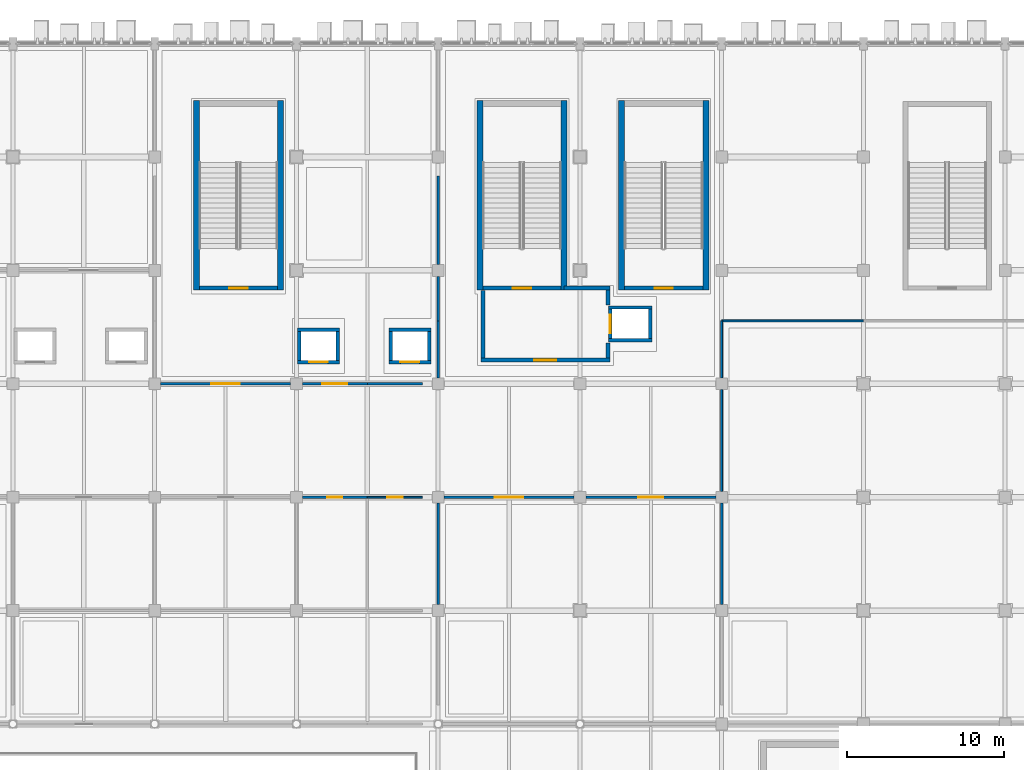
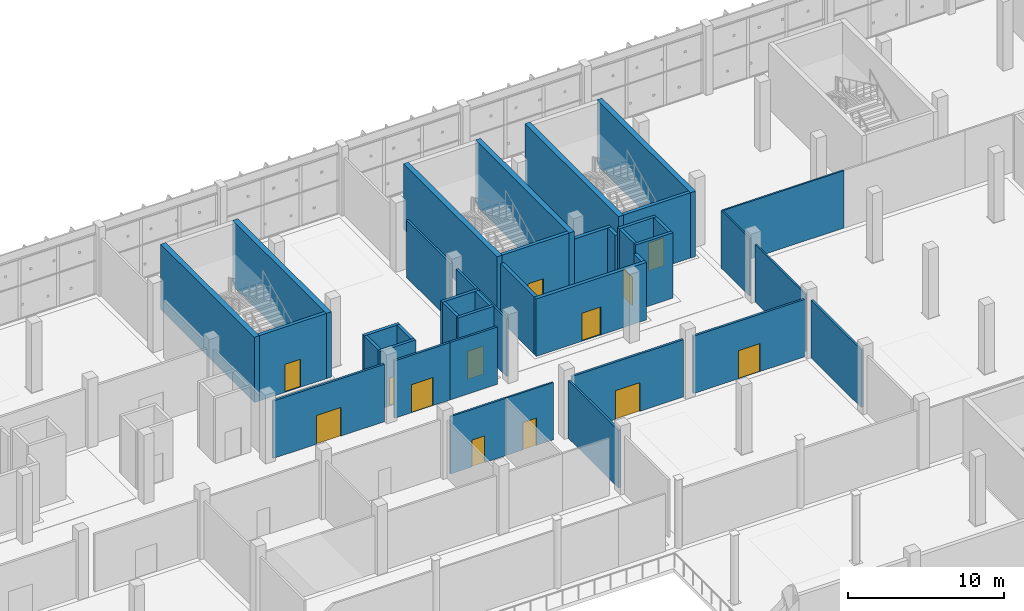
# One storey, part 140 of 189: 41 walls, 13 doors, 13 openings.
"""IFC4 building model written with IfcOpenShell, lengths in metres."""

from ifc_helpers import new_model, si_unit, direction, frame, frame_2d, origin, place, context, subcontext, project, spatial, rectangle, extrude, material, layer, layer_set, type_object, element, fill, save


model = new_model("IFC4")

# Units and contexts
model_context = context("Model", 3, precision=1e-05, world=origin(), true_north=direction((0.0, 1.0)))
body_context = subcontext(model_context, "Body", "Model", "MODEL_VIEW")
ifc_project = project(units=[si_unit("LENGTHUNIT", "METRE"), si_unit("AREAUNIT", "SQUARE_METRE"), si_unit("VOLUMEUNIT", "CUBIC_METRE"), si_unit("PLANEANGLEUNIT", "RADIAN"), si_unit("MASSUNIT", "GRAM", prefix="KILO")], contexts=[model_context])

# Site, building, storey
site_placement = place(None, origin())
site = spatial("IfcSite", under=ifc_project, at=site_placement, CompositionType="ELEMENT")
building_placement = place(site_placement, origin())
building = spatial("IfcBuilding", under=site, at=building_placement, Name="Celestram Park Convention Centre", CompositionType="ELEMENT")
storey_placement = place(building_placement, frame((0.0, 0.0, 5.39990234375)))
storey = spatial("IfcBuildingStorey", under=building, at=storey_placement, Name="L01", CompositionType="ELEMENT", Elevation=5.39990234375)

# Wall, opening, door
ifc_material_1 = material(Name="Concrete Block Masonry C25/30", Category="masonry")
ifc_layer_1 = layer(ifc_material_1, 0.25)
ifc_layer_set_1 = layer_set([ifc_layer_1], Name="Concrete Block Masonry C25/30")
wall_type_1 = type_object("IfcWallType", Name="ARC-WL-COR250", PredefinedType="STANDARD", material=ifc_layer_set_1)
wall_1_placement = place(storey_placement, frame((83.840087890625, 150.074951171875, 0.0), z_axis=(0.0, 0.0, 1.0), x_axis=(1.0, 0.0, 0.0)))
wall_1 = element("IfcWall", 1, at=wall_1_placement, inside=storey, type_object=wall_type_1, Name="Core C2 stair entrance wall", PredefinedType="STANDARD", context=body_context, shape_type="SweptSolid", body=[
    extrude(rectangle(XDim=4.9599609375, YDim=0.25, at=frame_2d((2.47998046875, 0.0))), origin(), (0.0, 0.0, 1.0), 5.1201171875),
])
opening_1_placement = place(wall_1_placement, frame((1.905029296875, 0.0, 0.0)))
opening_1 = element("IfcOpeningElement", 2, at=opening_1_placement, cuts=wall_1, Name="Opening D-ST1", PredefinedType="OPENING", context=body_context, shape_type="SweptSolid", body=[
    extrude(rectangle(XDim=1.14990234375, YDim=2.199951171875, at=frame_2d((0.574951171875, 1.10009765625))), frame((0.0, 0.135009765625, 0.0), z_axis=(0.0, -1.0, 0.0), x_axis=(1.0, 0.0, 0.0)), (0.0, 0.0, 1.0), 0.27001953125),
])
ifc_material_2 = material(Name="Fire-Rated Hollow Metal Steel ASTM A653", Category="steel")
door_type_1 = type_object("IfcDoorType", Name="ARC-DR-ST115", OperationType="NOTDEFINED", PredefinedType="DOOR", material=ifc_material_2)
door_1_placement = place(opening_1_placement, origin())
door_1 = element("IfcDoor", 3, at=door_1_placement, inside=storey, type_object=door_type_1, Name="Exit stair ST-02 fire door", OperationType="SINGLE_SWING_RIGHT", OverallHeight=2.199951171875, OverallWidth=1.14990234375, PredefinedType="DOOR", context=body_context, shape_type="SweptSolid", body=[
    extrude(rectangle(XDim=1.14990234375, YDim=2.199951171875, at=frame_2d((0.574951171875, 1.10009765625))), frame((0.0, 0.02490234375, 0.0), z_axis=(0.0, -1.0, 0.0), x_axis=(1.0, 0.0, 0.0)), (0.0, 0.0, 1.0), 0.050048828125),
])
fill(opening_1, door_1)

wall_2_placement = place(storey_placement, frame((65.840087890625, 150.074951171875, 0.0), z_axis=(0.0, 0.0, 1.0), x_axis=(1.0, 0.0, 0.0)))
wall_2 = element("IfcWall", 4, at=wall_2_placement, inside=storey, type_object=wall_type_1, Name="Core S14 stair entrance wall", PredefinedType="STANDARD", context=body_context, shape_type="SweptSolid", body=[
    extrude(rectangle(XDim=4.9599609375, YDim=0.25, at=frame_2d((2.47998046875, 0.0))), origin(), (0.0, 0.0, 1.0), 5.1201171875),
])
opening_2_placement = place(wall_2_placement, frame((1.905029296875, 0.0, 0.0)))
opening_2 = element("IfcOpeningElement", 5, at=opening_2_placement, cuts=wall_2, Name="Opening D-ST1", PredefinedType="OPENING", context=body_context, shape_type="SweptSolid", body=[
    extrude(rectangle(XDim=1.14990234375, YDim=2.199951171875, at=frame_2d((0.574951171875, 1.10009765625))), frame((0.0, 0.135009765625, 0.0), z_axis=(0.0, -1.0, 0.0), x_axis=(1.0, 0.0, 0.0)), (0.0, 0.0, 1.0), 0.27001953125),
])
door_2_placement = place(opening_2_placement, origin())
door_2 = element("IfcDoor", 6, at=door_2_placement, inside=storey, type_object=door_type_1, Name="Exit stair ST-14 fire door", OperationType="SINGLE_SWING_RIGHT", OverallHeight=2.199951171875, OverallWidth=1.14990234375, PredefinedType="DOOR", context=body_context, shape_type="SweptSolid", body=[
    extrude(rectangle(XDim=1.14990234375, YDim=2.199951171875, at=frame_2d((0.574951171875, 1.10009765625))), frame((0.0, 0.02490234375, 0.0), z_axis=(0.0, -1.0, 0.0), x_axis=(1.0, 0.0, 0.0)), (0.0, 0.0, 1.0), 0.050048828125),
])
fill(opening_2, door_2)

wall_3_placement = place(storey_placement, frame((92.840087890625, 150.074951171875, 0.0), z_axis=(0.0, 0.0, 1.0), x_axis=(1.0, 0.0, 0.0)))
wall_3 = element("IfcWall", 7, at=wall_3_placement, inside=storey, type_object=wall_type_1, Name="Core S19 stair entrance wall", PredefinedType="STANDARD", context=body_context, shape_type="SweptSolid", body=[
    extrude(rectangle(XDim=4.9599609375, YDim=0.25, at=frame_2d((2.47998046875, 0.0))), origin(), (0.0, 0.0, 1.0), 5.1201171875),
])
opening_3_placement = place(wall_3_placement, frame((1.905029296875, 0.0, 0.0)))
opening_3 = element("IfcOpeningElement", 8, at=opening_3_placement, cuts=wall_3, Name="Opening D-ST1", PredefinedType="OPENING", context=body_context, shape_type="SweptSolid", body=[
    extrude(rectangle(XDim=1.14990234375, YDim=2.199951171875, at=frame_2d((0.574951171875, 1.10009765625))), frame((0.0, 0.135009765625, 0.0), z_axis=(0.0, -1.0, 0.0), x_axis=(1.0, 0.0, 0.0)), (0.0, 0.0, 1.0), 0.27001953125),
])
door_3_placement = place(opening_3_placement, origin())
door_3 = element("IfcDoor", 9, at=door_3_placement, inside=storey, type_object=door_type_1, Name="Exit stair ST-19 fire door", OperationType="SINGLE_SWING_LEFT", OverallHeight=2.199951171875, OverallWidth=1.14990234375, PredefinedType="DOOR", context=body_context, shape_type="SweptSolid", body=[
    extrude(rectangle(XDim=1.14990234375, YDim=2.199951171875, at=frame_2d((0.574951171875, 1.10009765625))), frame((0.0, 0.02490234375, 0.0), z_axis=(0.0, -1.0, 0.0), x_axis=(1.0, 0.0, 0.0)), (0.0, 0.0, 1.0), 0.050048828125),
])
fill(opening_3, door_3)

# Wall
wall_4_placement = place(storey_placement, frame((83.840087890625, 149.93994140625, 0.0), z_axis=(0.0, 0.0, 1.0), x_axis=(0.0, -1.0, 0.0)))
element("IfcWall", 10, at=wall_4_placement, inside=storey, type_object=wall_type_1, Name="Firefighting Lift Lobby C2 W wall", PredefinedType="STANDARD", context=body_context, shape_type="SweptSolid", body=[
    extrude(rectangle(XDim=4.31494140625, YDim=0.25, at=frame_2d((2.157470703125, 0.0))), origin(), (0.0, 0.0, 1.0), 4.508056640625),
])

# Wall, opening, door
wall_5_placement = place(storey_placement, frame((83.715087890625, 145.5, 0.0), z_axis=(0.0, 0.0, 1.0), x_axis=(1.0, 0.0, 0.0)))
wall_5 = element("IfcWall", 11, at=wall_5_placement, inside=storey, type_object=wall_type_1, Name="Firefighting Lift Lobby C2 S wall", PredefinedType="STANDARD", context=body_context, shape_type="SweptSolid", body=[
    extrude(rectangle(XDim=8.18994140625, YDim=0.25, at=frame_2d((4.094970703125, 0.0))), origin(), (0.0, 0.0, 1.0), 4.508056640625),
])
opening_4_placement = place(wall_5_placement, frame((3.39501953125, 0.0, 0.0)))
opening_4 = element("IfcOpeningElement", 12, at=opening_4_placement, cuts=wall_5, Name="Opening D-LB1", PredefinedType="OPENING", context=body_context, shape_type="SweptSolid", body=[
    extrude(rectangle(XDim=1.39990234375, YDim=2.199951171875, at=frame_2d((0.699951171875, 1.10009765625))), frame((0.0, 0.135009765625, 0.0), z_axis=(0.0, -1.0, 0.0), x_axis=(1.0, 0.0, 0.0)), (0.0, 0.0, 1.0), 0.27001953125),
])
ifc_material_3 = material(Name="Fire-Rated Glazed Steel Frame", Category="steel")
door_type_2 = type_object("IfcDoorType", Name="ARC-DR-LB140", OperationType="NOTDEFINED", PredefinedType="DOOR", material=ifc_material_3)
door_4_placement = place(opening_4_placement, origin())
door_4 = element("IfcDoor", 13, at=door_4_placement, inside=storey, type_object=door_type_2, Name="Firefighting Lift Lobby C2 fire door", OperationType="SINGLE_SWING_LEFT", OverallHeight=2.199951171875, OverallWidth=1.39990234375, PredefinedType="DOOR", context=body_context, shape_type="SweptSolid", body=[
    extrude(rectangle(XDim=1.39990234375, YDim=2.199951171875, at=frame_2d((0.699951171875, 1.10009765625))), frame((0.0, 0.02490234375, 0.0), z_axis=(0.0, -1.0, 0.0), x_axis=(1.0, 0.0, 0.0)), (0.0, 0.0, 1.0), 0.050048828125),
])
fill(opening_4, door_4)

# Walls
wall_6_placement = place(storey_placement, frame((91.780029296875, 145.625, 0.0), z_axis=(0.0, 0.0, 1.0), x_axis=(0.0, 1.0, 0.0)))
element("IfcWall", 14, at=wall_6_placement, inside=storey, type_object=wall_type_1, Name="Firefighting Lift Lobby C2 ES wall", PredefinedType="STANDARD", context=body_context, shape_type="SweptSolid", body=[
    extrude(rectangle(XDim=0.97509765625, YDim=0.25, at=frame_2d((0.487548828125, 0.0))), origin(), (0.0, 0.0, 1.0), 4.508056640625),
])
wall_7_placement = place(storey_placement, frame((91.780029296875, 149.0, 0.0), z_axis=(0.0, 0.0, 1.0), x_axis=(0.0, 1.0, 0.0)))
element("IfcWall", 15, at=wall_7_placement, inside=storey, type_object=wall_type_1, Name="Firefighting Lift Lobby C2 EN wall", PredefinedType="STANDARD", context=body_context, shape_type="SweptSolid", body=[
    extrude(rectangle(XDim=0.949951171875, YDim=0.25, at=frame_2d((0.47509765625, 0.0))), origin(), (0.0, 0.0, 1.0), 4.508056640625),
])
wall_8_placement = place(storey_placement, frame((89.0, 150.074951171875, 0.0), z_axis=(0.0, 0.0, 1.0), x_axis=(1.0, 0.0, 0.0)))
element("IfcWall", 16, at=wall_8_placement, inside=storey, type_object=wall_type_1, Name="Firefighting Lift Lobby C2 N wall", PredefinedType="STANDARD", context=body_context, shape_type="SweptSolid", body=[
    extrude(rectangle(XDim=2.905029296875, YDim=0.25, at=frame_2d((1.45263671875, 0.0))), origin(), (0.0, 0.0, 1.0), 4.508056640625),
])

# Wall, opening, door
ifc_material_4 = material(Name="Standard Gypsum & Steel Stud 120 mm", Category="steel")
ifc_layer_2 = layer(ifc_material_4, 0.1201171875)
ifc_layer_set_2 = layer_set([ifc_layer_2], Name="Standard Gypsum & Steel Stud 120 mm")
wall_type_2 = type_object("IfcWallType", Name="ARC-WL-PRT120", PredefinedType="PARTITIONING", material=ifc_layer_set_2)
wall_9_placement = place(storey_placement, frame((76.5, 136.800048828125, 0.0), z_axis=(0.0, 0.0, 1.0), x_axis=(1.0, 0.0, 0.0)))
wall_9 = element("IfcWall", 17, at=wall_9_placement, inside=storey, type_object=wall_type_2, Name="Interior partition WL-L01-IN0723", PredefinedType="PARTITIONING", context=body_context, shape_type="SweptSolid", body=[
    extrude(rectangle(XDim=3.5, YDim=0.1201171875, at=frame_2d((1.75, 0.0))), origin(), (0.0, 0.0, 1.0), 4.498046875),
])
opening_5_placement = place(wall_9_placement, frame((1.25, 0.0, 0.0)))
opening_5 = element("IfcOpeningElement", 18, at=opening_5_placement, cuts=wall_9, Name="Opening D-07", PredefinedType="OPENING", context=body_context, shape_type="SweptSolid", body=[
    extrude(rectangle(XDim=1.0, YDim=2.14990234375, at=frame_2d((0.5, 1.074951171875))), frame((0.0, 0.070068359375, 0.0), z_axis=(0.0, -1.0, 0.0), x_axis=(1.0, 0.0, 0.0)), (0.0, 0.0, 1.0), 0.14013671875),
])
ifc_material_5 = material(Name="Solid Core White Oak Single Door", Category="wood")
door_type_3 = type_object("IfcDoorType", Name="ARC-DR-RM100", OperationType="NOTDEFINED", PredefinedType="DOOR", material=ifc_material_5)
door_5_placement = place(opening_5_placement, origin())
door_5 = element("IfcDoor", 19, at=door_5_placement, inside=storey, type_object=door_type_3, Name="Wellness & Nursing Suite L01 entrance door", OperationType="SINGLE_SWING_LEFT", OverallHeight=2.14990234375, OverallWidth=1.0, PredefinedType="DOOR", context=body_context, shape_type="SweptSolid", body=[
    extrude(rectangle(XDim=1.0, YDim=2.14990234375, at=frame_2d((0.5, 1.074951171875))), frame((0.0, 0.02490234375, 0.0), z_axis=(0.0, -1.0, 0.0), x_axis=(1.0, 0.0, 0.0)), (0.0, 0.0, 1.0), 0.050048828125),
])
fill(opening_5, door_5)

# Walls
wall_10_placement = place(storey_placement, frame((99.0, 148.0, 0.0), z_axis=(0.0, 0.0, 1.0), x_axis=(1.0, 0.0, 0.0)))
element("IfcWall", 20, at=wall_10_placement, inside=storey, type_object=wall_type_2, Name="Interior partition WL-L01-IN0729", PredefinedType="PARTITIONING", context=body_context, shape_type="SweptSolid", body=[
    extrude(rectangle(XDim=9.0, YDim=0.1201171875, at=frame_2d((4.5, 0.0))), origin(), (0.0, 0.0, 1.0), 4.508056640625),
])
wall_11_placement = place(storey_placement, frame((99.0, 137.173095703125, 0.0), z_axis=(0.0, 0.0, 1.0), x_axis=(0.0, 1.0, 0.0)))
element("IfcWall", 21, at=wall_11_placement, inside=storey, type_object=wall_type_2, Name="Interior partition WL-L01-IN0763", PredefinedType="PARTITIONING", context=body_context, shape_type="SweptSolid", body=[
    extrude(rectangle(XDim=6.453857421875, YDim=0.1201171875, at=frame_2d((3.22705078125, 0.0))), origin(), (0.0, 0.0, 1.0), 4.508056640625),
])
wall_12_placement = place(storey_placement, frame((99.0, 144.373046875, 0.0), z_axis=(0.0, 0.0, 1.0), x_axis=(0.0, 1.0, 0.0)))
element("IfcWall", 22, at=wall_12_placement, inside=storey, type_object=wall_type_2, Name="Interior partition WL-L01-IN0764", PredefinedType="PARTITIONING", context=body_context, shape_type="SweptSolid", body=[
    extrude(rectangle(XDim=3.626953125, YDim=0.1201171875, at=frame_2d((1.8134765625, 0.0))), origin(), (0.0, 0.0, 1.0), 4.508056640625),
])

# Wall, opening, door
ifc_material_6 = material(Name="Moisture-Resistant Gypsum Partition 140 mm", Category="gypsum")
ifc_layer_3 = layer(ifc_material_6, 0.139892578125)
ifc_layer_set_3 = layer_set([ifc_layer_3], Name="Moisture-Resistant Gypsum Partition 140 mm")
wall_type_3 = type_object("IfcWallType", Name="ARC-WL-PRT140", PredefinedType="PARTITIONING", material=ifc_layer_set_3)
wall_13_placement = place(storey_placement, frame((72.373046875, 136.800048828125, 0.0), z_axis=(0.0, 0.0, 1.0), x_axis=(1.0, 0.0, 0.0)))
wall_13 = element("IfcWall", 23, at=wall_13_placement, inside=storey, type_object=wall_type_3, Name="Interior partition WL-L01-IN0722", PredefinedType="PARTITIONING", context=body_context, shape_type="SweptSolid", body=[
    extrude(rectangle(XDim=4.126953125, YDim=0.139892578125, at=frame_2d((2.0634765625, 0.0))), origin(), (0.0, 0.0, 1.0), 4.498046875),
])
opening_6_placement = place(wall_13_placement, frame((1.58837890625, 0.0, 0.0)))
opening_6 = element("IfcOpeningElement", 24, at=opening_6_placement, cuts=wall_13, Name="Opening D-08", PredefinedType="OPENING", context=body_context, shape_type="SweptSolid", body=[
    extrude(rectangle(XDim=0.949951171875, YDim=2.10009765625, at=frame_2d((0.47509765625, 1.050048828125))), frame((0.0, 0.079833984375, 0.0), z_axis=(0.0, -1.0, 0.0), x_axis=(1.0, 0.0, 0.0)), (0.0, 0.0, 1.0), 0.159912109375),
])
ifc_material_7 = material(Name="Laminate Moisture-Resistant Restroom Door", Category="wood")
door_type_4 = type_object("IfcDoorType", Name="ARC-DR-WC095", OperationType="NOTDEFINED", PredefinedType="DOOR", material=ifc_material_7)
door_6_placement = place(opening_6_placement, origin())
door_6 = element("IfcDoor", 25, at=door_6_placement, inside=storey, type_object=door_type_4, Name="Accessible Restroom L01 entrance door", OperationType="SINGLE_SWING_RIGHT", OverallHeight=2.10009765625, OverallWidth=0.949951171875, PredefinedType="DOOR", context=body_context, shape_type="SweptSolid", body=[
    extrude(rectangle(XDim=0.949951171875, YDim=2.10009765625, at=frame_2d((0.47509765625, 1.050048828125))), frame((0.0, 0.02490234375, 0.0), z_axis=(0.0, -1.0, 0.0), x_axis=(1.0, 0.0, 0.0)), (0.0, 0.0, 1.0), 0.050048828125),
])
fill(opening_6, door_6)

ifc_material_8 = material(Name="Acoustic Gypsum & Steel Stud 160 mm", Category="steel")
ifc_layer_4 = layer(ifc_material_8, 0.159912109375)
ifc_layer_set_4 = layer_set([ifc_layer_4], Name="Acoustic Gypsum & Steel Stud 160 mm")
wall_type_4 = type_object("IfcWallType", Name="ARC-WL-PRT160", PredefinedType="PARTITIONING", material=ifc_layer_set_4)
wall_14_placement = place(storey_placement, frame((81.373046875, 136.800048828125, 0.0), z_axis=(0.0, 0.0, 1.0), x_axis=(1.0, 0.0, 0.0)))
wall_14 = element("IfcWall", 26, at=wall_14_placement, inside=storey, type_object=wall_type_4, Name="Interior partition WL-L01-IN0724", PredefinedType="PARTITIONING", context=body_context, shape_type="SweptSolid", body=[
    extrude(rectangle(XDim=8.25390625, YDim=0.159912109375, at=frame_2d((4.126953125, 0.0))), origin(), (0.0, 0.0, 1.0), 4.498046875),
])
opening_7_placement = place(wall_14_placement, frame((3.22705078125, 0.0, 0.0)))
opening_7 = element("IfcOpeningElement", 27, at=opening_7_placement, cuts=wall_14, Name="Opening D-04", PredefinedType="OPENING", context=body_context, shape_type="SweptSolid", body=[
    extrude(rectangle(XDim=1.800048828125, YDim=2.25, at=frame_2d((0.89990234375, 1.125))), frame((0.0, 0.08984375, 0.0), z_axis=(0.0, -1.0, 0.0), x_axis=(1.0, 0.0, 0.0)), (0.0, 0.0, 1.0), 0.179931640625),
])
ifc_material_9 = material(Name="Solid White Oak Acoustic Double Door", Category="wood")
door_type_5 = type_object("IfcDoorType", Name="ARC-DR-MTG180", OperationType="NOTDEFINED", PredefinedType="DOOR", material=ifc_material_9)
door_7_placement = place(opening_7_placement, origin())
door_7 = element("IfcDoor", 28, at=door_7_placement, inside=storey, type_object=door_type_5, Name="Breakout Seminar Room 102 entrance door", OperationType="DOUBLE_DOOR_SINGLE_SWING", OverallHeight=2.25, OverallWidth=1.800048828125, PredefinedType="DOOR", context=body_context, shape_type="SweptSolid", body=[
    extrude(rectangle(XDim=1.800048828125, YDim=2.25, at=frame_2d((0.89990234375, 1.125))), frame((0.0, 0.02490234375, 0.0), z_axis=(0.0, -1.0, 0.0), x_axis=(1.0, 0.0, 0.0)), (0.0, 0.0, 1.0), 0.050048828125),
])
fill(opening_7, door_7)

wall_15_placement = place(storey_placement, frame((90.373046875, 136.800048828125, 0.0), z_axis=(0.0, 0.0, 1.0), x_axis=(1.0, 0.0, 0.0)))
wall_15 = element("IfcWall", 29, at=wall_15_placement, inside=storey, type_object=wall_type_4, Name="Interior partition WL-L01-IN0725", PredefinedType="PARTITIONING", context=body_context, shape_type="SweptSolid", body=[
    extrude(rectangle(XDim=8.25390625, YDim=0.159912109375, at=frame_2d((4.126953125, 0.0))), origin(), (0.0, 0.0, 1.0), 4.498046875),
])
opening_8_placement = place(wall_15_placement, frame((3.326904296875, 0.0, 0.0)))
opening_8 = element("IfcOpeningElement", 30, at=opening_8_placement, cuts=wall_15, Name="Opening D-05", PredefinedType="OPENING", context=body_context, shape_type="SweptSolid", body=[
    extrude(rectangle(XDim=1.60009765625, YDim=2.199951171875, at=frame_2d((0.800048828125, 1.10009765625))), frame((0.0, 0.08984375, 0.0), z_axis=(0.0, -1.0, 0.0), x_axis=(1.0, 0.0, 0.0)), (0.0, 0.0, 1.0), 0.179931640625),
])
ifc_material_10 = material(Name="Solid White Oak Double Door", Category="wood")
door_type_6 = type_object("IfcDoorType", Name="ARC-DR-MTG160", OperationType="NOTDEFINED", PredefinedType="DOOR", material=ifc_material_10)
door_8_placement = place(opening_8_placement, origin())
door_8 = element("IfcDoor", 31, at=door_8_placement, inside=storey, type_object=door_type_6, Name="Breakout Seminar Room 102 entrance door", OperationType="DOUBLE_DOOR_SINGLE_SWING", OverallHeight=2.199951171875, OverallWidth=1.60009765625, PredefinedType="DOOR", context=body_context, shape_type="SweptSolid", body=[
    extrude(rectangle(XDim=1.60009765625, YDim=2.199951171875, at=frame_2d((0.800048828125, 1.10009765625))), frame((0.0, 0.02490234375, 0.0), z_axis=(0.0, -1.0, 0.0), x_axis=(1.0, 0.0, 0.0)), (0.0, 0.0, 1.0), 0.050048828125),
])
fill(opening_8, door_8)

wall_16_placement = place(storey_placement, frame((63.373046875, 144.0, 0.0), z_axis=(0.0, 0.0, 1.0), x_axis=(1.0, 0.0, 0.0)))
wall_16 = element("IfcWall", 32, at=wall_16_placement, inside=storey, type_object=wall_type_4, Name="Interior partition WL-L01-IN0726", PredefinedType="PARTITIONING", context=body_context, shape_type="SweptSolid", body=[
    extrude(rectangle(XDim=8.25390625, YDim=0.159912109375, at=frame_2d((4.126953125, 0.0))), origin(), (0.0, 0.0, 1.0), 4.498046875),
])
opening_9_placement = place(wall_16_placement, frame((3.22705078125, 0.0, 0.0)))
opening_9 = element("IfcOpeningElement", 33, at=opening_9_placement, cuts=wall_16, Name="Opening D-04", PredefinedType="OPENING", context=body_context, shape_type="SweptSolid", body=[
    extrude(rectangle(XDim=1.800048828125, YDim=2.25, at=frame_2d((0.89990234375, 1.125))), frame((0.0, 0.08984375, 0.0), z_axis=(0.0, -1.0, 0.0), x_axis=(1.0, 0.0, 0.0)), (0.0, 0.0, 1.0), 0.179931640625),
])
door_9_placement = place(opening_9_placement, origin())
door_9 = element("IfcDoor", 34, at=door_9_placement, inside=storey, type_object=door_type_5, Name="Breakout Seminar Room 103 entrance door", OperationType="DOUBLE_DOOR_SINGLE_SWING", OverallHeight=2.25, OverallWidth=1.800048828125, PredefinedType="DOOR", context=body_context, shape_type="SweptSolid", body=[
    extrude(rectangle(XDim=1.800048828125, YDim=2.25, at=frame_2d((0.89990234375, 1.125))), frame((0.0, 0.02490234375, 0.0), z_axis=(0.0, -1.0, 0.0), x_axis=(1.0, 0.0, 0.0)), (0.0, 0.0, 1.0), 0.050048828125),
])
fill(opening_9, door_9)

wall_17_placement = place(storey_placement, frame((72.373046875, 144.0, 0.0), z_axis=(0.0, 0.0, 1.0), x_axis=(1.0, 0.0, 0.0)))
wall_17 = element("IfcWall", 35, at=wall_17_placement, inside=storey, type_object=wall_type_4, Name="Interior partition WL-L01-IN0727", PredefinedType="PARTITIONING", context=body_context, shape_type="SweptSolid", body=[
    extrude(rectangle(XDim=4.126953125, YDim=0.159912109375, at=frame_2d((2.0634765625, 0.0))), origin(), (0.0, 0.0, 1.0), 4.498046875),
])
opening_10_placement = place(wall_17_placement, frame((1.263427734375, 0.0, 0.0)))
opening_10 = element("IfcOpeningElement", 36, at=opening_10_placement, cuts=wall_17, Name="Opening D-05", PredefinedType="OPENING", context=body_context, shape_type="SweptSolid", body=[
    extrude(rectangle(XDim=1.60009765625, YDim=2.199951171875, at=frame_2d((0.800048828125, 1.10009765625))), frame((0.0, 0.08984375, 0.0), z_axis=(0.0, -1.0, 0.0), x_axis=(1.0, 0.0, 0.0)), (0.0, 0.0, 1.0), 0.179931640625),
])
door_10_placement = place(opening_10_placement, origin())
door_10 = element("IfcDoor", 37, at=door_10_placement, inside=storey, type_object=door_type_6, Name="Breakout Seminar Room 103 entrance door", OperationType="DOUBLE_DOOR_SINGLE_SWING", OverallHeight=2.199951171875, OverallWidth=1.60009765625, PredefinedType="DOOR", context=body_context, shape_type="SweptSolid", body=[
    extrude(rectangle(XDim=1.60009765625, YDim=2.199951171875, at=frame_2d((0.800048828125, 1.10009765625))), frame((0.0, 0.02490234375, 0.0), z_axis=(0.0, -1.0, 0.0), x_axis=(1.0, 0.0, 0.0)), (0.0, 0.0, 1.0), 0.050048828125),
])
fill(opening_10, door_10)

# Walls
wall_18_placement = place(storey_placement, frame((76.5, 144.0, 0.0), z_axis=(0.0, 0.0, 1.0), x_axis=(1.0, 0.0, 0.0)))
element("IfcWall", 38, at=wall_18_placement, inside=storey, type_object=wall_type_4, Name="Interior partition WL-L01-IN0728", PredefinedType="PARTITIONING", context=body_context, shape_type="SweptSolid", body=[
    extrude(rectangle(XDim=3.5, YDim=0.159912109375, at=frame_2d((1.75, 0.0))), origin(), (0.0, 0.0, 1.0), 4.498046875),
])
wall_19_placement = place(storey_placement, frame((81.0, 129.972900390625, 0.0), z_axis=(0.0, 0.0, 1.0), x_axis=(0.0, 1.0, 0.0)))
element("IfcWall", 39, at=wall_19_placement, inside=storey, type_object=wall_type_4, Name="Interior partition WL-L01-IN0756", PredefinedType="PARTITIONING", context=body_context, shape_type="SweptSolid", body=[
    extrude(rectangle(XDim=6.4541015625, YDim=0.159912109375, at=frame_2d((3.22705078125, 0.0))), origin(), (0.0, 0.0, 1.0), 4.508056640625),
])
wall_20_placement = place(storey_placement, frame((81.0, 144.373046875, 0.0), z_axis=(0.0, 0.0, 1.0), x_axis=(0.0, 1.0, 0.0)))
element("IfcWall", 40, at=wall_20_placement, inside=storey, type_object=wall_type_4, Name="Interior partition WL-L01-IN0757", PredefinedType="PARTITIONING", context=body_context, shape_type="SweptSolid", body=[
    extrude(rectangle(XDim=3.626953125, YDim=0.159912109375, at=frame_2d((1.8134765625, 0.0))), origin(), (0.0, 0.0, 1.0), 4.508056640625),
])
wall_21_placement = place(storey_placement, frame((81.0, 148.0, 0.0), z_axis=(0.0, 0.0, 1.0), x_axis=(0.0, 1.0, 0.0)))
element("IfcWall", 41, at=wall_21_placement, inside=storey, type_object=wall_type_4, Name="Interior partition WL-L01-IN0758", PredefinedType="PARTITIONING", context=body_context, shape_type="SweptSolid", body=[
    extrude(rectangle(XDim=2.826904296875, YDim=0.159912109375, at=frame_2d((1.41357421875, 0.0))), origin(), (0.0, 0.0, 1.0), 4.508056640625),
])
wall_22_placement = place(storey_placement, frame((81.0, 151.572998046875, 0.0), z_axis=(0.0, 0.0, 1.0), x_axis=(0.0, 1.0, 0.0)))
element("IfcWall", 42, at=wall_22_placement, inside=storey, type_object=wall_type_4, Name="Interior partition WL-L01-IN0759", PredefinedType="PARTITIONING", context=body_context, shape_type="SweptSolid", body=[
    extrude(rectangle(XDim=5.626953125, YDim=0.159912109375, at=frame_2d((2.8134765625, 0.0))), origin(), (0.0, 0.0, 1.0), 4.508056640625),
])
wall_23_placement = place(storey_placement, frame((99.0, 129.972900390625, 0.0), z_axis=(0.0, 0.0, 1.0), x_axis=(0.0, 1.0, 0.0)))
element("IfcWall", 43, at=wall_23_placement, inside=storey, type_object=wall_type_4, Name="Interior partition WL-L01-IN0762", PredefinedType="PARTITIONING", context=body_context, shape_type="SweptSolid", body=[
    extrude(rectangle(XDim=6.4541015625, YDim=0.159912109375, at=frame_2d((3.22705078125, 0.0))), origin(), (0.0, 0.0, 1.0), 4.508056640625),
])
ifc_layer_5 = layer(ifc_material_1, 0.219970703125)
ifc_layer_set_5 = layer_set([ifc_layer_5], Name="Concrete Block Masonry C25/30")
wall_type_5 = type_object("IfcWallType", Name="ARC-WL-SHF220", PredefinedType="STANDARD", material=ifc_layer_set_5)
for number, where, z_axis, x_axis, name in (
    (44, (91.820068359375, 146.7548828125, 0.0), (0.0, 0.0, 1.0), (1.0, 0.0, 0.0), "Lift LF-02 shaft wall S"),
    (45, (94.580078125, 148.844970703125, 0.0), (0.0, 0.0, 1.0), (-1.0, 0.0, 0.0), "Lift LF-02 shaft wall N"),
):
    element("IfcWall", number, at=place(storey_placement, frame(where, z_axis=z_axis, x_axis=x_axis)), inside=storey, type_object=wall_type_5, Name=name, PredefinedType="STANDARD", context=body_context, shape_type="SweptSolid", body=[
        extrude(rectangle(XDim=2.760009765625, YDim=0.219970703125, at=frame_2d((1.3798828125, 0.0))), origin(), (0.0, 0.0, 1.0), 5.1201171875),
    ])

# Wall, opening, door
wall_24_placement = place(storey_placement, frame((91.929931640625, 148.735107421875, 0.0), z_axis=(0.0, 0.0, 1.0), x_axis=(0.0, -1.0, 0.0)))
wall_24 = element("IfcWall", 46, at=wall_24_placement, inside=storey, type_object=wall_type_5, Name="Lift LF-02 shaft wall W", PredefinedType="STANDARD", context=body_context, shape_type="SweptSolid", body=[
    extrude(rectangle(XDim=1.8701171875, YDim=0.219970703125, at=frame_2d((0.93505859375, 0.0))), origin(), (0.0, 0.0, 1.0), 5.1201171875),
])
opening_11_placement = place(wall_24_placement, frame((0.3349609375, 0.0, 0.0)))
opening_11 = element("IfcOpeningElement", 47, at=opening_11_placement, cuts=wall_24, Name="Opening LD-01", PredefinedType="OPENING", context=body_context, shape_type="SweptSolid", body=[
    extrude(rectangle(XDim=1.199951171875, YDim=2.199951171875, at=frame_2d((0.60009765625, 1.10009765625))), frame((0.0, 0.119873046875, 0.0), z_axis=(0.0, -1.0, 0.0), x_axis=(1.0, 0.0, 0.0)), (0.0, 0.0, 1.0), 0.239990234375),
])
ifc_material_11 = material(Name="Brushed Stainless Steel AISI 304", Category="steel")
door_type_7 = type_object("IfcDoorType", Name="ARC-DR-LFT120", OperationType="NOTDEFINED", PredefinedType="DOOR", material=ifc_material_11)
door_11_placement = place(opening_11_placement, origin())
door_11 = element("IfcDoor", 48, at=door_11_placement, inside=storey, type_object=door_type_7, Name="Lift LF-02 sliding landing door", OperationType="DOUBLE_DOOR_SLIDING", OverallHeight=2.199951171875, OverallWidth=1.199951171875, PredefinedType="DOOR", context=body_context, shape_type="SweptSolid", body=[
    extrude(rectangle(XDim=1.199951171875, YDim=2.199951171875, at=frame_2d((0.60009765625, 1.10009765625))), frame((0.0, 0.02490234375, 0.0), z_axis=(0.0, -1.0, 0.0), x_axis=(1.0, 0.0, 0.0)), (0.0, 0.0, 1.0), 0.050048828125),
])
fill(opening_11, door_11)

# Wall
wall_25_placement = place(storey_placement, frame((94.469970703125, 146.864990234375, 0.0), z_axis=(0.0, 0.0, 1.0), x_axis=(0.0, 1.0, 0.0)))
element("IfcWall", 49, at=wall_25_placement, inside=storey, type_object=wall_type_5, Name="Lift LF-02 shaft wall E", PredefinedType="STANDARD", context=body_context, shape_type="SweptSolid", body=[
    extrude(rectangle(XDim=1.8701171875, YDim=0.219970703125, at=frame_2d((0.93505859375, 0.0))), origin(), (0.0, 0.0, 1.0), 5.1201171875),
])

# Wall, opening, door
wall_26_placement = place(storey_placement, frame((72.070068359375, 145.3798828125, 0.0), z_axis=(0.0, 0.0, 1.0), x_axis=(1.0, 0.0, 0.0)))
wall_26 = element("IfcWall", 50, at=wall_26_placement, inside=storey, type_object=wall_type_5, Name="Lift LP-03 shaft wall S", PredefinedType="STANDARD", context=body_context, shape_type="SweptSolid", body=[
    extrude(rectangle(XDim=2.659912109375, YDim=0.219970703125, at=frame_2d((1.330078125, 0.0))), origin(), (0.0, 0.0, 1.0), 4.508056640625),
])
opening_12_placement = place(wall_26_placement, frame((0.72998046875, 0.0, 0.0)))
opening_12 = element("IfcOpeningElement", 51, at=opening_12_placement, cuts=wall_26, Name="Opening LD-01", PredefinedType="OPENING", context=body_context, shape_type="SweptSolid", body=[
    extrude(rectangle(XDim=1.199951171875, YDim=2.199951171875, at=frame_2d((0.60009765625, 1.10009765625))), frame((0.0, 0.119873046875, 0.0), z_axis=(0.0, -1.0, 0.0), x_axis=(1.0, 0.0, 0.0)), (0.0, 0.0, 1.0), 0.239990234375),
])
door_12_placement = place(opening_12_placement, origin())
door_12 = element("IfcDoor", 52, at=door_12_placement, inside=storey, type_object=door_type_7, Name="Lift LP-03 sliding landing door", OperationType="DOUBLE_DOOR_SLIDING", OverallHeight=2.199951171875, OverallWidth=1.199951171875, PredefinedType="DOOR", context=body_context, shape_type="SweptSolid", body=[
    extrude(rectangle(XDim=1.199951171875, YDim=2.199951171875, at=frame_2d((0.60009765625, 1.10009765625))), frame((0.0, 0.02490234375, 0.0), z_axis=(0.0, -1.0, 0.0), x_axis=(1.0, 0.0, 0.0)), (0.0, 0.0, 1.0), 0.050048828125),
])
fill(opening_12, door_12)

# Walls
wall_27_placement = place(storey_placement, frame((74.72998046875, 147.419921875, 0.0), z_axis=(0.0, 0.0, 1.0), x_axis=(-1.0, 0.0, 0.0)))
element("IfcWall", 53, at=wall_27_placement, inside=storey, type_object=wall_type_5, Name="Lift LP-03 shaft wall N", PredefinedType="STANDARD", context=body_context, shape_type="SweptSolid", body=[
    extrude(rectangle(XDim=2.659912109375, YDim=0.219970703125, at=frame_2d((1.330078125, 0.0))), origin(), (0.0, 0.0, 1.0), 4.508056640625),
])
for number, where, z_axis, x_axis, name in (
    (54, (72.179931640625, 147.31005859375, 0.0), (0.0, 0.0, 1.0), (0.0, -1.0, 0.0), "Lift LP-03 shaft wall W"),
    (55, (74.6201171875, 145.489990234375, 0.0), (0.0, 0.0, 1.0), (0.0, 1.0, 0.0), "Lift LP-03 shaft wall E"),
):
    element("IfcWall", number, at=place(storey_placement, frame(where, z_axis=z_axis, x_axis=x_axis)), inside=storey, type_object=wall_type_5, Name=name, PredefinedType="STANDARD", context=body_context, shape_type="SweptSolid", body=[
        extrude(rectangle(XDim=1.820068359375, YDim=0.219970703125, at=frame_2d((0.91015625, 0.0))), origin(), (0.0, 0.0, 1.0), 4.508056640625),
    ])

# Wall, opening, door
wall_28_placement = place(storey_placement, frame((77.8701171875, 145.3798828125, 0.0), z_axis=(0.0, 0.0, 1.0), x_axis=(1.0, 0.0, 0.0)))
wall_28 = element("IfcWall", 56, at=wall_28_placement, inside=storey, type_object=wall_type_5, Name="Lift LP-04 shaft wall S", PredefinedType="STANDARD", context=body_context, shape_type="SweptSolid", body=[
    extrude(rectangle(XDim=2.659912109375, YDim=0.219970703125, at=frame_2d((1.330078125, 0.0))), origin(), (0.0, 0.0, 1.0), 5.1201171875),
])
opening_13_placement = place(wall_28_placement, frame((0.72998046875, 0.0, 0.0)))
opening_13 = element("IfcOpeningElement", 57, at=opening_13_placement, cuts=wall_28, Name="Opening LD-01", PredefinedType="OPENING", context=body_context, shape_type="SweptSolid", body=[
    extrude(rectangle(XDim=1.199951171875, YDim=2.199951171875, at=frame_2d((0.60009765625, 1.10009765625))), frame((0.0, 0.119873046875, 0.0), z_axis=(0.0, -1.0, 0.0), x_axis=(1.0, 0.0, 0.0)), (0.0, 0.0, 1.0), 0.239990234375),
])
door_13_placement = place(opening_13_placement, origin())
door_13 = element("IfcDoor", 58, at=door_13_placement, inside=storey, type_object=door_type_7, Name="Lift LP-04 sliding landing door", OperationType="DOUBLE_DOOR_SLIDING", OverallHeight=2.199951171875, OverallWidth=1.199951171875, PredefinedType="DOOR", context=body_context, shape_type="SweptSolid", body=[
    extrude(rectangle(XDim=1.199951171875, YDim=2.199951171875, at=frame_2d((0.60009765625, 1.10009765625))), frame((0.0, 0.02490234375, 0.0), z_axis=(0.0, -1.0, 0.0), x_axis=(1.0, 0.0, 0.0)), (0.0, 0.0, 1.0), 0.050048828125),
])
fill(opening_13, door_13)

# Walls
wall_29_placement = place(storey_placement, frame((80.530029296875, 147.419921875, 0.0), z_axis=(0.0, 0.0, 1.0), x_axis=(-1.0, 0.0, 0.0)))
element("IfcWall", 59, at=wall_29_placement, inside=storey, type_object=wall_type_5, Name="Lift LP-04 shaft wall N", PredefinedType="STANDARD", context=body_context, shape_type="SweptSolid", body=[
    extrude(rectangle(XDim=2.659912109375, YDim=0.219970703125, at=frame_2d((1.330078125, 0.0))), origin(), (0.0, 0.0, 1.0), 5.1201171875),
])
for number, where, z_axis, x_axis, name in (
    (60, (77.97998046875, 147.31005859375, 0.0), (0.0, 0.0, 1.0), (0.0, -1.0, 0.0), "Lift LP-04 shaft wall W"),
    (61, (80.419921875, 145.489990234375, 0.0), (0.0, 0.0, 1.0), (0.0, 1.0, 0.0), "Lift LP-04 shaft wall E"),
):
    element("IfcWall", number, at=place(storey_placement, frame(where, z_axis=z_axis, x_axis=x_axis)), inside=storey, type_object=wall_type_5, Name=name, PredefinedType="STANDARD", context=body_context, shape_type="SweptSolid", body=[
        extrude(rectangle(XDim=1.820068359375, YDim=0.219970703125, at=frame_2d((0.91015625, 0.0))), origin(), (0.0, 0.0, 1.0), 5.1201171875),
    ])
ifc_material_12 = material(Name="Concrete C40/50", Category="concrete")
ifc_layer_6 = layer(ifc_material_12, 0.3798828125)
ifc_layer_set_6 = layer_set([ifc_layer_6], Name="Concrete C40/50")
wall_type_6 = type_object("IfcWallType", Name="STR-WL-SHR380", PredefinedType="SHEAR", material=ifc_layer_set_6)
for number, where, z_axis, x_axis, name in (
    (62, (83.64990234375, 149.949951171875, 0.0), (0.0, 0.0, 1.0), (0.0, 1.0, 0.0), "Core C2 shear wall L"),
    (63, (88.989990234375, 161.97998046875, 0.0), (0.0, 0.0, 1.0), (0.0, -1.0, 0.0), "Core C2 shear wall R"),
    (64, (65.64990234375, 149.949951171875, 0.0), (0.0, 0.0, 1.0), (0.0, 1.0, 0.0), "Core S14 shear wall L"),
    (65, (70.989990234375, 161.97998046875, 0.0), (0.0, 0.0, 1.0), (0.0, -1.0, 0.0), "Core S14 shear wall R"),
    (66, (92.64990234375, 149.949951171875, 0.0), (0.0, 0.0, 1.0), (0.0, 1.0, 0.0), "Core S19 shear wall L"),
    (67, (97.989990234375, 161.97998046875, 0.0), (0.0, 0.0, 1.0), (0.0, -1.0, 0.0), "Core S19 shear wall R"),
):
    element("IfcWall", number, at=place(storey_placement, frame(where, z_axis=z_axis, x_axis=x_axis)), inside=storey, type_object=wall_type_6, Name=name, PredefinedType="SHEAR", context=body_context, shape_type="SweptSolid", body=[
        extrude(rectangle(XDim=12.030029296875, YDim=0.3798828125, at=frame_2d((6.01513671875, 0.0))), origin(), (0.0, 0.0, 1.0), 5.1201171875),
    ])

save(model, "model.ifc")
